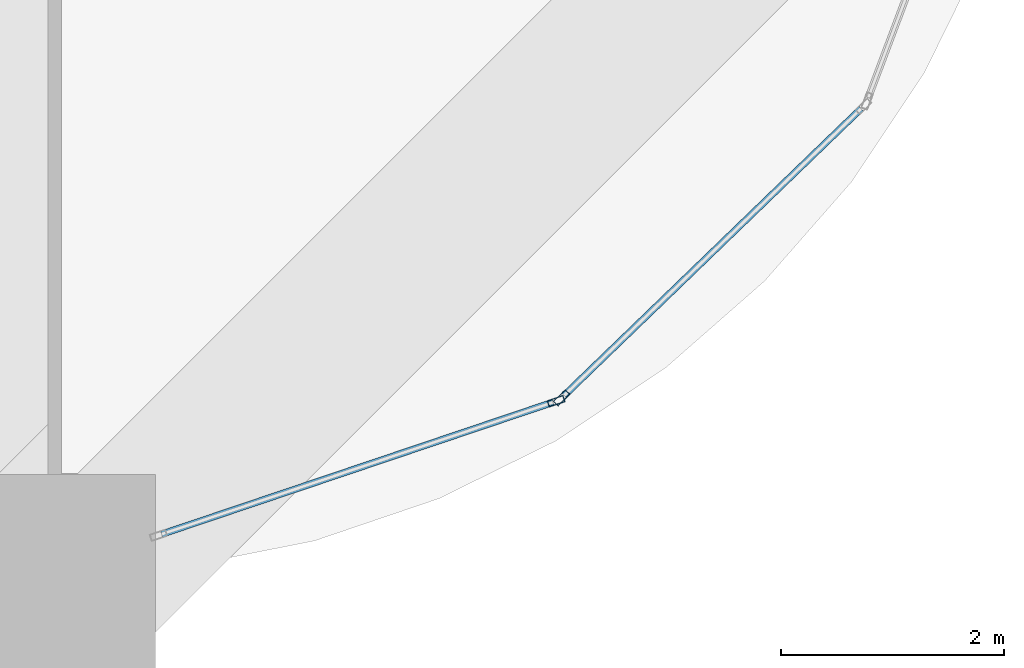
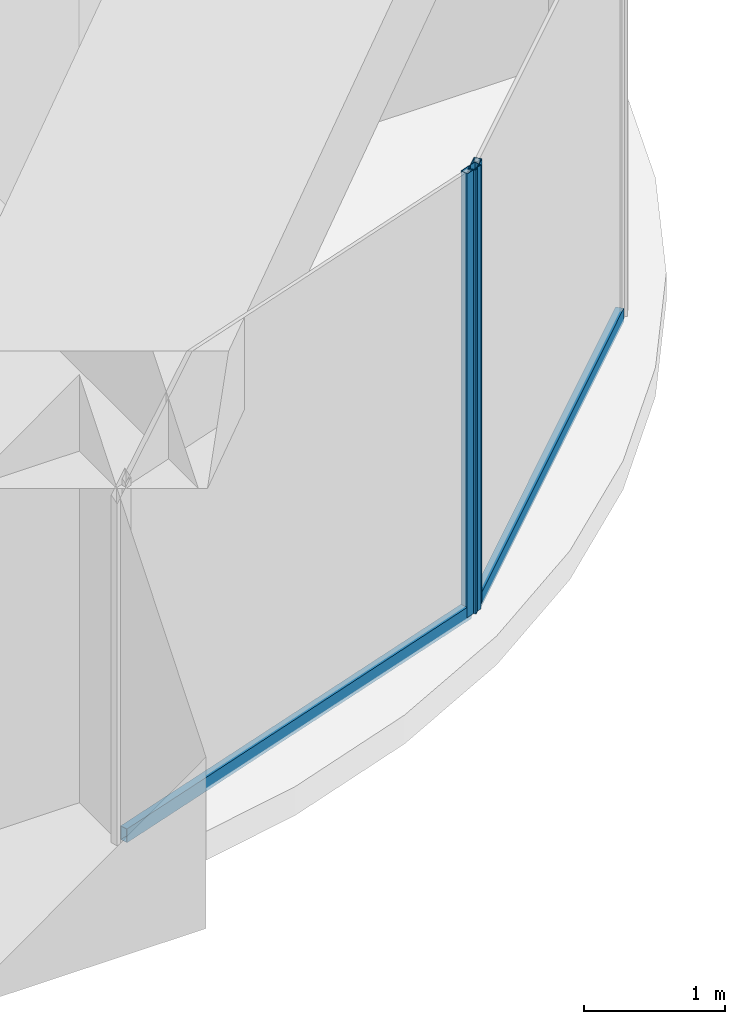
# One storey, part 18 of 45: 4 members, 2 elements without a shape of their own.
"""IFC4 building model written with IfcOpenShell, lengths in metres."""

from ifc_helpers import new_model, si_unit, direction, frame, origin, origin_2d, place, context, subcontext, project, spatial, hollow_rectangle, extrude, material, material_profile, profile_set, type_object, element, aggregate, save


model = new_model("IFC4")

# Units and contexts
model_context = context("Model", 3, precision=1e-05, world=origin(), true_north=direction((0.0, 1.0)))
body_context = subcontext(model_context, "Body", "Model", "MODEL_VIEW")
ifc_project = project(units=[si_unit("LENGTHUNIT", "METRE"), si_unit("AREAUNIT", "SQUARE_METRE"), si_unit("VOLUMEUNIT", "CUBIC_METRE"), si_unit("PLANEANGLEUNIT", "RADIAN"), si_unit("MASSUNIT", "GRAM", prefix="KILO")], contexts=[model_context])

# Site, building, storey
site_placement = place(None, origin())
site = spatial("IfcSite", under=ifc_project, at=site_placement, CompositionType="ELEMENT")
building_placement = place(site_placement, origin())
building = spatial("IfcBuilding", under=site, at=building_placement, Name="Zorevar Civic Tower", CompositionType="ELEMENT")
storey_placement = place(building_placement, frame((0.0, 0.0, 153.0)))
storey = spatial("IfcBuildingStorey", under=building, at=storey_placement, Name="L37", CompositionType="ELEMENT", Elevation=153.0)

# Curtain wall, member
ifc_material_1 = material(Name="Dark grey solar-control glass in black aluminium frame", Category="aluminium")
curtain_wall_type = type_object("IfcCurtainWallType", Name="Curtain wall CW3 mid zone", PredefinedType="NOTDEFINED", material=ifc_material_1)
curtain_wall_1_placement = place(storey_placement, origin())
curtain_wall_1 = element("IfcCurtainWall", 1, at=curtain_wall_1_placement, inside=storey, type_object=curtain_wall_type, Name="CW3 L37", PredefinedType="NOTDEFINED")
ifc_material_2 = material(Name="Aluminium, black anodised", Category="aluminium")
ifc_material_profile_1 = material_profile(ifc_material_2, hollow_rectangle(XDim=0.06005859375, YDim=0.14990234375, WallThickness=0.00390625, at=origin_2d()), Name="AL 150x60x4")
ifc_profile_set_1 = profile_set([ifc_material_profile_1], Name="Aluminium, black anodised")
member_type_1 = type_object("IfcMemberType", Name="CW3 mullion AL 150x60x4", PredefinedType="MULLION", material=ifc_profile_set_1)
member_1_placement = place(storey_placement, frame((58.493408203125, 1.557861328125, 0.0), z_axis=(0.0, 0.0, 1.0), x_axis=(-0.319412525043, 0.947615765406, 0.0)))
member_1 = element("IfcMember", 2, at=member_1_placement, type_object=member_type_1, Name="CW3 mullion 2", PredefinedType="MULLION", context=body_context, shape_type="SweptSolid", body=[
    extrude(hollow_rectangle(XDim=0.06005859375, YDim=0.14990234375, WallThickness=0.00390625, at=origin_2d()), origin(), (0.0, 0.0, 1.0), 3.85009765625),
])

curtain_wall_2_placement = place(storey_placement, origin())
curtain_wall_2 = element("IfcCurtainWall", 3, at=curtain_wall_2_placement, inside=storey, type_object=curtain_wall_type, Name="CW3 L37", PredefinedType="NOTDEFINED")
member_2_placement = place(storey_placement, frame((58.54345703125, 1.58837890625, 0.0), z_axis=(0.0, 0.0, 1.0), x_axis=(-0.694719089155, 0.719281160023, 0.0)))
member_2 = element("IfcMember", 4, at=member_2_placement, type_object=member_type_1, Name="CW3 mullion 1", PredefinedType="MULLION", context=body_context, shape_type="SweptSolid", body=[
    extrude(hollow_rectangle(XDim=0.06005859375, YDim=0.14990234375, WallThickness=0.00390625, at=origin_2d()), origin(), (0.0, 0.0, 1.0), 3.85009765625),
])

# Member
ifc_material_3 = material(Name="Aluminium, black anodised", Category="aluminium")
ifc_material_profile_2 = material_profile(ifc_material_3, hollow_rectangle(XDim=0.06005859375, YDim=0.1201171875, WallThickness=0.0029296875, at=origin_2d()), Name="AL 120x60x3")
ifc_profile_set_2 = profile_set([ifc_material_profile_2], Name="Aluminium, black anodised")
member_type_2 = type_object("IfcMemberType", Name="CW3 transom AL 120x60x3", PredefinedType="USERDEFINED", material=ifc_profile_set_2)
member_3_placement = place(storey_placement, frame((54.956787109375, 0.365966796875, 0.030029296875), z_axis=(0.9476295577, 0.319371603893, 0.0), x_axis=(-0.319371603893, 0.9476295577, 0.0)))
member_3 = element("IfcMember", 5, at=member_3_placement, type_object=member_type_2, Name="CW3 sill transom", ObjectType="TRANSOM", PredefinedType="USERDEFINED", context=body_context, shape_type="SweptSolid", body=[
    extrude(hollow_rectangle(XDim=0.06005859375, YDim=0.1201171875, WallThickness=0.0029296875, at=origin_2d()), origin(), (0.0, 0.0, 1.0), 3.7021484375),
])

aggregate(curtain_wall_1, [member_1, member_3])

member_4_placement = place(storey_placement, frame((58.56494140625, 1.609130859375, 0.030029296875), z_axis=(0.719266228526, 0.694734548228, 0.0), x_axis=(-0.694734548228, 0.719266228526, 0.0)))
member_4 = element("IfcMember", 6, at=member_4_placement, type_object=member_type_2, Name="CW3 sill transom", ObjectType="TRANSOM", PredefinedType="USERDEFINED", context=body_context, shape_type="SweptSolid", body=[
    extrude(hollow_rectangle(XDim=0.06005859375, YDim=0.1201171875, WallThickness=0.0029296875, at=origin_2d()), origin(), (0.0, 0.0, 1.0), 3.7021484375),
])

aggregate(curtain_wall_2, [member_2, member_4])

save(model, "model.ifc")
